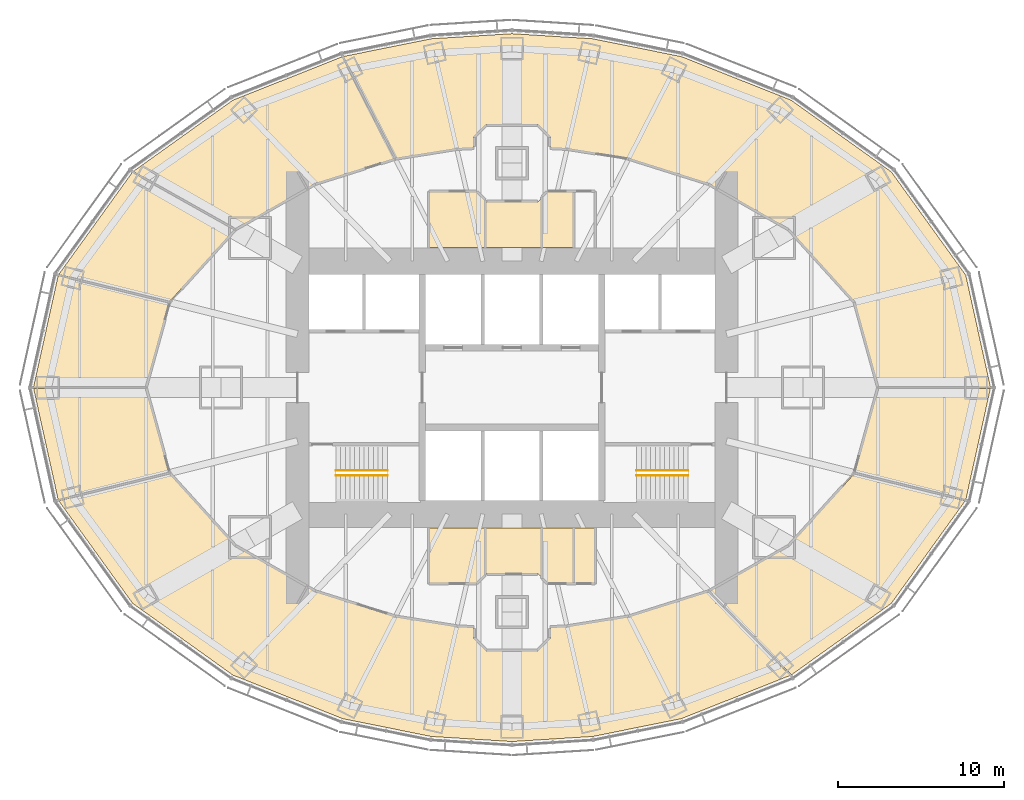
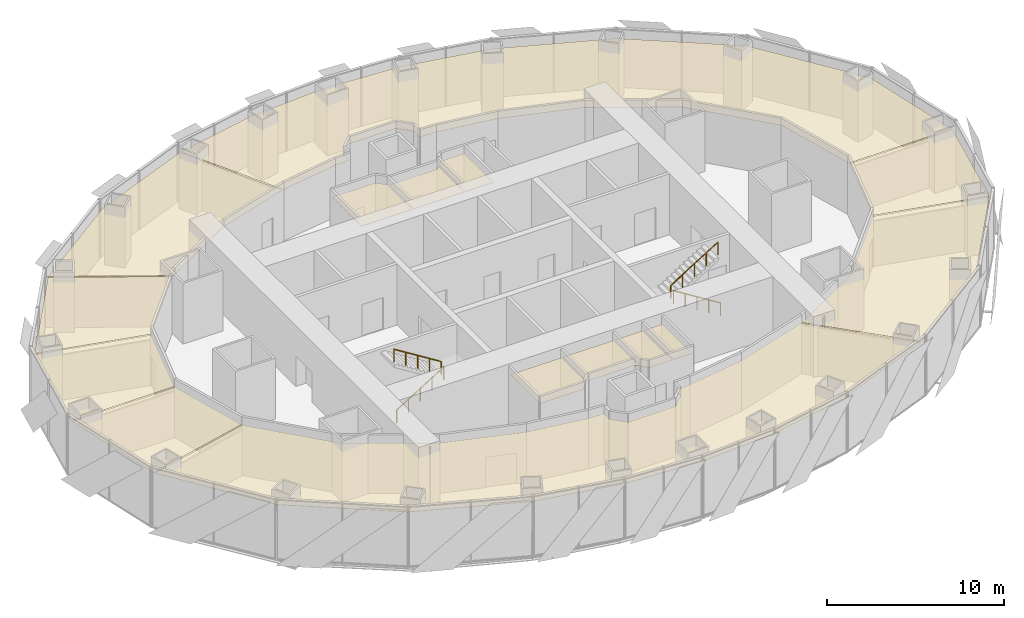
# One storey, part 17 of 17: 15 coverings, 4 railings.
"""IFC4 building model written with IfcOpenShell, lengths in metres."""

from ifc_helpers import new_model, si_unit, direction, frame, origin, origin_2d, place, context, subcontext, project, spatial, polyline, circle, outline, extrude, material, layer, layer_set, type_object, element, save


model = new_model("IFC4")

# Units and contexts
model_context = context("Model", 3, precision=1e-05, world=origin(), true_north=direction((0.0, 1.0)))
body_context = subcontext(model_context, "Body", "Model", "MODEL_VIEW")
ifc_project = project(units=[si_unit("LENGTHUNIT", "METRE"), si_unit("AREAUNIT", "SQUARE_METRE"), si_unit("VOLUMEUNIT", "CUBIC_METRE"), si_unit("PLANEANGLEUNIT", "RADIAN"), si_unit("MASSUNIT", "GRAM", prefix="KILO")], contexts=[model_context])

# Site, building, storey
site_placement = place(None, origin())
site = spatial("IfcSite", under=ifc_project, at=site_placement, CompositionType="ELEMENT")
building_placement = place(site_placement, origin())
building = spatial("IfcBuilding", under=site, at=building_placement, Name="Lantaw Convention Tower", CompositionType="ELEMENT")
storey_placement = place(building_placement, frame((0.0, 0.0, 117.39990234375)))
storey = spatial("IfcBuildingStorey", under=building, at=storey_placement, Name="L27", CompositionType="ELEMENT", Elevation=117.39990234375)

# Railings
ifc_material_1 = material(Name="Stainless steel", Category="steel")
railing_type = type_object("IfcRailingType", Name="Stair handrail", PredefinedType="HANDRAIL", material=ifc_material_1)
railing_1_placement = place(storey_placement, frame((-10.580078125, -5.280029296875, 0.175048828125)))
element("IfcRailing", 1, at=railing_1_placement, inside=storey, type_object=railing_type, Name="Stair handrail S1", PredefinedType="HANDRAIL", context=body_context, shape_type="SweptSolid", body=[
    extrude(circle(Radius=0.02392578125, at=origin_2d()), frame((0.0, 0.0, 0.8759765625), z_axis=(0.847998304005, 0.0, 0.529998940003), x_axis=(0.0, 1.0, 0.0)), (0.0, 0.0, 1.0), 3.632080078125),
    extrude(circle(Radius=0.02099609375, at=origin_2d()), origin(), (0.0, 0.0, 1.0), 0.851806640625),
    extrude(circle(Radius=0.02099609375, at=origin_2d()), frame((0.77001953125, 0.0, 0.481201171875)), (0.0, 0.0, 1.0), 0.851806640625),
    extrude(circle(Radius=0.02099609375, at=origin_2d()), frame((1.5400390625, 0.0, 0.96240234375)), (0.0, 0.0, 1.0), 0.851806640625),
    extrude(circle(Radius=0.02099609375, at=origin_2d()), frame((2.31005859375, 0.0, 1.44384765625)), (0.0, 0.0, 1.0), 0.851806640625),
    extrude(circle(Radius=0.02099609375, at=origin_2d()), frame((3.080078125, 0.0, 1.925048828125)), (0.0, 0.0, 1.0), 0.851806640625),
])
for number, where, name in (
    (2, (-7.5, -4.97998046875, 2.275146484375), "Stair handrail S1"),
    (3, (10.580078125, -5.280029296875, 0.175048828125), "Stair handrail S2"),
):
    element("IfcRailing", number, at=place(storey_placement, frame(where)), inside=storey, type_object=railing_type, Name=name, PredefinedType="HANDRAIL", context=body_context, shape_type="SweptSolid", body=[
        extrude(circle(Radius=0.02392578125, at=origin_2d()), frame((0.0, 0.0, 0.8759765625), z_axis=(-0.847998304005, 0.0, 0.529998940003), x_axis=(0.0, -1.0, 0.0)), (0.0, 0.0, 1.0), 3.632080078125),
        extrude(circle(Radius=0.02099609375, at=origin_2d()), origin(), (0.0, 0.0, 1.0), 0.851806640625),
        extrude(circle(Radius=0.02099609375, at=origin_2d()), frame((-0.77001953125, 0.0, 0.481201171875)), (0.0, 0.0, 1.0), 0.851806640625),
        extrude(circle(Radius=0.02099609375, at=origin_2d()), frame((-1.5400390625, 0.0, 0.96240234375)), (0.0, 0.0, 1.0), 0.851806640625),
        extrude(circle(Radius=0.02099609375, at=origin_2d()), frame((-2.31005859375, 0.0, 1.44384765625)), (0.0, 0.0, 1.0), 0.851806640625),
        extrude(circle(Radius=0.02099609375, at=origin_2d()), frame((-3.080078125, 0.0, 1.925048828125)), (0.0, 0.0, 1.0), 0.851806640625),
    ])
railing_2_placement = place(storey_placement, frame((7.5, -4.97998046875, 2.275146484375)))
element("IfcRailing", 4, at=railing_2_placement, inside=storey, type_object=railing_type, Name="Stair handrail S2", PredefinedType="HANDRAIL", context=body_context, shape_type="SweptSolid", body=[
    extrude(circle(Radius=0.02392578125, at=origin_2d()), frame((0.0, 0.0, 0.8759765625), z_axis=(0.847998304005, 0.0, 0.529998940003), x_axis=(0.0, 1.0, 0.0)), (0.0, 0.0, 1.0), 3.632080078125),
    extrude(circle(Radius=0.02099609375, at=origin_2d()), origin(), (0.0, 0.0, 1.0), 0.851806640625),
    extrude(circle(Radius=0.02099609375, at=origin_2d()), frame((0.77001953125, 0.0, 0.481201171875)), (0.0, 0.0, 1.0), 0.851806640625),
    extrude(circle(Radius=0.02099609375, at=origin_2d()), frame((1.5400390625, 0.0, 0.96240234375)), (0.0, 0.0, 1.0), 0.851806640625),
    extrude(circle(Radius=0.02099609375, at=origin_2d()), frame((2.31005859375, 0.0, 1.44384765625)), (0.0, 0.0, 1.0), 0.851806640625),
    extrude(circle(Radius=0.02099609375, at=origin_2d()), frame((3.080078125, 0.0, 1.925048828125)), (0.0, 0.0, 1.0), 0.851806640625),
])

# Coverings
ifc_material_2 = material(Name="Gypsum board on steel suspension grid", Category="steel")
ifc_layer = layer(ifc_material_2, 0.02001953125)
ifc_layer_set = layer_set([ifc_layer], Name="Suspended ceiling")
covering_type = type_object("IfcCoveringType", Name="Suspended ceiling", PredefinedType="CEILING", material=ifc_layer_set)
covering_1_placement = place(storey_placement, frame((0.0, 0.0, 3.4501953125)))
element("IfcCovering", 5, at=covering_1_placement, inside=storey, type_object=covering_type, Name="Male WC ceiling", PredefinedType="CEILING", context=body_context, shape_type="SweptSolid", body=[
    extrude(outline(polyline([(-4.9599609375, 11.760009765625), (-4.9599609375, 8.43994140625), (-1.639892578125, 8.43994140625), (-1.639892578125, 11.26611328125), (-2.1337890625, 11.760009765625), (-4.9599609375, 11.760009765625)])), origin(), (0.0, 0.0, 1.0), 0.02001953125),
])
covering_2_placement = place(storey_placement, frame((0.0, 0.0, 3.4501953125)))
element("IfcCovering", 6, at=covering_2_placement, inside=storey, type_object=covering_type, Name="Female WC ceiling", PredefinedType="CEILING", context=body_context, shape_type="SweptSolid", body=[
    extrude(outline(polyline([(-1.56005859375, 11.186279296875), (-1.56005859375, 8.43994140625), (1.760009765625, 8.43994140625), (1.760009765625, 11.38623046875), (1.548828125, 11.175048828125), (-1.548828125, 11.175048828125), (-1.56005859375, 11.186279296875)])), origin(), (0.0, 0.0, 1.0), 0.02001953125),
])
covering_3_placement = place(storey_placement, frame((0.0, 0.0, 3.4501953125)))
element("IfcCovering", 7, at=covering_3_placement, inside=storey, type_object=covering_type, Name="Accessible WC ceiling", PredefinedType="CEILING", context=body_context, shape_type="SweptSolid", body=[
    extrude(outline(polyline([(1.840087890625, 11.466064453125), (1.840087890625, 8.43994140625), (3.659912109375, 8.43994140625), (3.659912109375, 11.760009765625), (2.1337890625, 11.760009765625), (1.840087890625, 11.466064453125)])), origin(), (0.0, 0.0, 1.0), 0.02001953125),
])
covering_4_placement = place(storey_placement, frame((0.0, 0.0, 3.4501953125)))
element("IfcCovering", 8, at=covering_4_placement, inside=storey, type_object=covering_type, Name="Male WC ceiling", PredefinedType="CEILING", context=body_context, shape_type="SweptSolid", body=[
    extrude(outline(polyline([(-4.9599609375, -8.43994140625), (-4.9599609375, -11.760009765625), (-2.1337890625, -11.760009765625), (-1.639892578125, -11.26611328125), (-1.639892578125, -8.43994140625), (-4.9599609375, -8.43994140625)])), origin(), (0.0, 0.0, 1.0), 0.02001953125),
])
covering_5_placement = place(storey_placement, frame((0.0, 0.0, 3.4501953125)))
element("IfcCovering", 9, at=covering_5_placement, inside=storey, type_object=covering_type, Name="Female WC ceiling", PredefinedType="CEILING", context=body_context, shape_type="SweptSolid", body=[
    extrude(outline(polyline([(-1.56005859375, -11.186279296875), (-1.548828125, -11.175048828125), (1.548828125, -11.175048828125), (1.760009765625, -11.38623046875), (1.760009765625, -8.43994140625), (-1.56005859375, -8.43994140625), (-1.56005859375, -11.186279296875)])), origin(), (0.0, 0.0, 1.0), 0.02001953125),
])
covering_6_placement = place(storey_placement, frame((0.0, 0.0, 3.4501953125)))
element("IfcCovering", 10, at=covering_6_placement, inside=storey, type_object=covering_type, Name="Accessible WC ceiling", PredefinedType="CEILING", context=body_context, shape_type="SweptSolid", body=[
    extrude(outline(polyline([(1.840087890625, -8.43994140625), (1.840087890625, -11.466064453125), (2.1337890625, -11.760009765625), (3.659912109375, -11.760009765625), (3.659912109375, -8.43994140625), (1.840087890625, -8.43994140625)])), origin(), (0.0, 0.0, 1.0), 0.02001953125),
])
covering_7_placement = place(storey_placement, frame((0.0, 0.0, 3.4501953125)))
element("IfcCovering", 11, at=covering_7_placement, inside=storey, type_object=covering_type, Name="Pantry ceiling", PredefinedType="CEILING", context=body_context, shape_type="SweptSolid", body=[
    extrude(outline(polyline([(3.739990234375, -11.760009765625), (4.9599609375, -11.760009765625), (4.9599609375, -8.43994140625), (3.739990234375, -8.43994140625), (3.739990234375, -11.760009765625)])), origin(), (0.0, 0.0, 1.0), 0.02001953125),
])
covering_8_placement = place(storey_placement, frame((0.0, 0.0, 3.4501953125)))
element("IfcCovering", 12, at=covering_8_placement, inside=storey, type_object=covering_type, Name="Contact-centre floor ceiling", PredefinedType="CEILING", context=body_context, shape_type="SweptSolid", body=[
    extrude(outline(polyline([(20.61279296875, 5.150146484375), (22.030517578125, 0.0400390625), (28.77099609375, 0.0400390625), (27.286865234375, 6.763671875), (22.815185546875, 12.970947265625), (16.778076171875, 17.29150390625), (10.1865234375, 19.90576171875), (4.864501953125, 20.978271484375), (0.0, 21.28466796875), (-4.864501953125, 20.978271484375), (-10.13818359375, 19.91552734375), (-6.9814453125, 13.78955078125), (-3.313720703125, 14.374755859375), (-2.324951171875, 14.424072265625), (-2.324951171875, 15.048828125), (-1.548828125, 15.824951171875), (1.548828125, 15.824951171875), (2.324951171875, 15.048828125), (2.324951171875, 14.424072265625), (3.313720703125, 14.374755859375), (7.012939453125, 13.78466796875), (11.828857421875, 12.269287109375), (16.647705078125, 9.5302734375), (20.61279296875, 5.150146484375)])), origin(), (0.0, 0.0, 1.0), 0.02001953125),
])
covering_9_placement = place(storey_placement, frame((0.0, 0.0, 3.4501953125)))
element("IfcCovering", 13, at=covering_9_placement, inside=storey, type_object=covering_type, Name="Training room ceiling", PredefinedType="CEILING", context=body_context, shape_type="SweptSolid", body=[
    extrude(outline(polyline([(-7.06103515625, 13.76953125), (-10.217041015625, 19.893798828125), (-16.778076171875, 17.29150390625), (-22.76953125, 13.003662109375), (-16.62255859375, 9.54443359375), (-11.828857421875, 12.269287109375), (-7.06103515625, 13.76953125)])), origin(), (0.0, 0.0, 1.0), 0.02001953125),
])
covering_10_placement = place(storey_placement, frame((0.0, 0.0, 3.4501953125)))
element("IfcCovering", 14, at=covering_10_placement, inside=storey, type_object=covering_type, Name="Nap room ceiling", PredefinedType="CEILING", context=body_context, shape_type="SweptSolid", body=[
    extrude(outline(polyline([(-16.685791015625, 9.48828125), (-22.832275390625, 12.947265625), (-27.257080078125, 6.80517578125), (-20.590576171875, 5.1748046875), (-16.685791015625, 9.48828125)])), origin(), (0.0, 0.0, 1.0), 0.02001953125),
])
covering_11_placement = place(storey_placement, frame((0.0, 0.0, 3.4501953125)))
element("IfcCovering", 15, at=covering_11_placement, inside=storey, type_object=covering_type, Name="Quiet room ceiling", PredefinedType="CEILING", context=body_context, shape_type="SweptSolid", body=[
    extrude(outline(polyline([(-20.62646484375, 5.101318359375), (-27.2939453125, 6.731689453125), (-28.77099609375, 0.0400390625), (-22.030517578125, 0.0400390625), (-20.62646484375, 5.101318359375)])), origin(), (0.0, 0.0, 1.0), 0.02001953125),
])
covering_12_placement = place(storey_placement, frame((0.0, 0.0, 3.4501953125)))
element("IfcCovering", 16, at=covering_12_placement, inside=storey, type_object=covering_type, Name="24-hour pantry ceiling", PredefinedType="CEILING", context=body_context, shape_type="SweptSolid", body=[
    extrude(outline(polyline([(-22.030517578125, -0.0400390625), (-28.77099609375, -0.0400390625), (-27.2939453125, -6.731689453125), (-20.62646484375, -5.101318359375), (-22.030517578125, -0.0400390625)])), origin(), (0.0, 0.0, 1.0), 0.02001953125),
])
covering_13_placement = place(storey_placement, frame((0.0, 0.0, 3.4501953125)))
element("IfcCovering", 17, at=covering_13_placement, inside=storey, type_object=covering_type, Name="Contact-centre floor ceiling", PredefinedType="CEILING", context=body_context, shape_type="SweptSolid", body=[
    extrude(outline(polyline([(-16.647705078125, -9.5302734375), (-20.590576171875, -5.1748046875), (-27.257080078125, -6.80517578125), (-22.815185546875, -12.970947265625), (-16.778076171875, -17.29150390625), (-10.1865234375, -19.90576171875), (-4.864501953125, -20.978271484375), (0.0, -21.28466796875), (4.864501953125, -20.978271484375), (10.1865234375, -19.90576171875), (16.7265625, -17.311767578125), (11.80126953125, -12.278076171875), (7.012939453125, -13.78466796875), (3.313720703125, -14.374755859375), (2.324951171875, -14.424072265625), (2.324951171875, -15.048828125), (1.548828125, -15.824951171875), (-1.548828125, -15.824951171875), (-2.324951171875, -15.048828125), (-2.324951171875, -14.424072265625), (-3.313720703125, -14.374755859375), (-7.012939453125, -13.78466796875), (-11.828857421875, -12.269287109375), (-16.647705078125, -9.5302734375)])), origin(), (0.0, 0.0, 1.0), 0.02001953125),
])
covering_14_placement = place(storey_placement, frame((0.0, 0.0, 3.4501953125)))
element("IfcCovering", 18, at=covering_14_placement, inside=storey, type_object=covering_type, Name="Training room ceiling", PredefinedType="CEILING", context=body_context, shape_type="SweptSolid", body=[
    extrude(outline(polyline([(11.877685546875, -12.24169921875), (16.802001953125, -17.2744140625), (22.815185546875, -12.970947265625), (27.257080078125, -6.80517578125), (20.590576171875, -5.1748046875), (16.647705078125, -9.5302734375), (11.877685546875, -12.24169921875)])), origin(), (0.0, 0.0, 1.0), 0.02001953125),
])
covering_15_placement = place(storey_placement, frame((0.0, 0.0, 3.4501953125)))
element("IfcCovering", 19, at=covering_15_placement, inside=storey, type_object=covering_type, Name="Nap room ceiling", PredefinedType="CEILING", context=body_context, shape_type="SweptSolid", body=[
    extrude(outline(polyline([(20.62646484375, -5.101318359375), (27.2939453125, -6.731689453125), (28.77099609375, -0.0400390625), (22.030517578125, -0.0400390625), (20.62646484375, -5.101318359375)])), origin(), (0.0, 0.0, 1.0), 0.02001953125),
])

save(model, "model.ifc")
